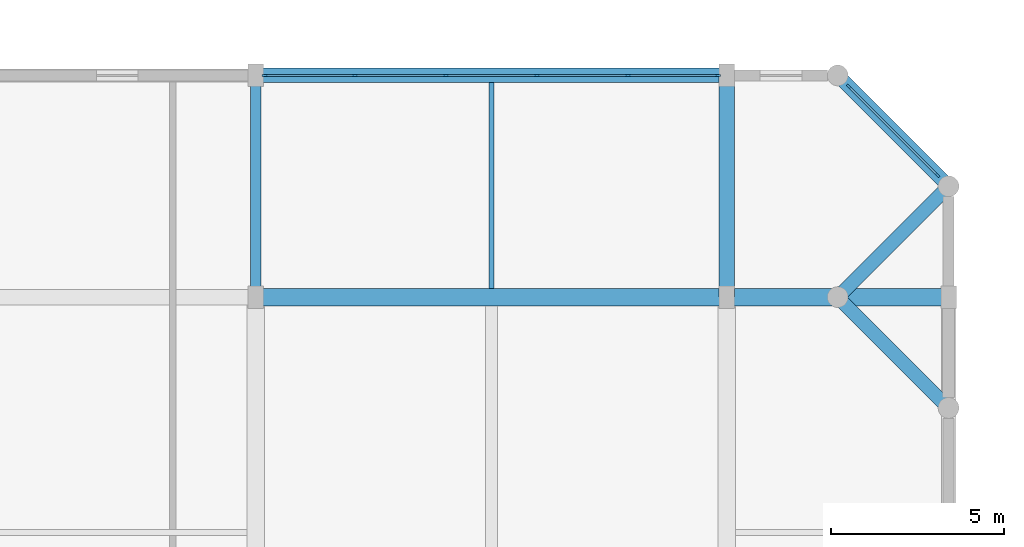
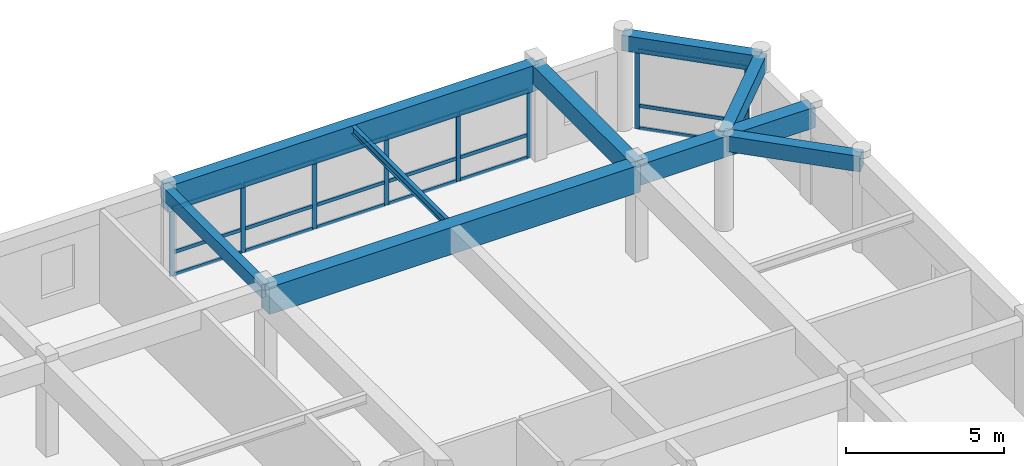
# One storey, part 8 of 13: 26 members, 9 beams, 2 elements without a shape of their own.
"""IFC4 building model written with IfcOpenShell, lengths in metres."""

import ifcopenshell
import ifcopenshell.guid

model = None  # the IFC model being written
_history = None  # IfcOwnerHistory: only IFC2X3 demands one
_inside = {}  # id of a spatial element -> (the spatial element, [elements in it])
_under = {}  # id of a project, library or spatial element -> (it, [spatial elements below it])
_declared = {}  # id of a project -> (the project, [libraries it declares])
_typed = {}  # id of a type object -> (the type object, [elements of that type])
_made_of = {}  # id of a material, layer set ... -> (it, [elements and type objects made of it])


def new_model(schema):
    """Start an empty IFC model of exactly this schema.

    Asked for "IFC4X3", IfcOpenShell would pick the latest addendum, in which some entities
    have other attributes; the version numbers below select the first issue.
    IFC2X3 requires an IfcOwnerHistory on every rooted entity: one is made here for all.
    """
    global model, _history
    if schema == "IFC4X3":
        model = ifcopenshell.file(schema_version=(4, 3, 0, 0))
    else:
        model = ifcopenshell.file(schema=schema)
    _inside.clear()
    _under.clear()
    _declared.clear()
    _typed.clear()
    _made_of.clear()
    _history = None
    if model.schema == "IFC2X3":
        org = make("IfcOrganization", Name="unknown")
        user = make(
            "IfcPersonAndOrganization",
            ThePerson=make("IfcPerson", FamilyName="unknown"),
            TheOrganization=org,
        )
        app = make(
            "IfcApplication",
            ApplicationDeveloper=org,
            Version="unknown",
            ApplicationFullName="unknown",
            ApplicationIdentifier="unknown",
        )
        _history = make(
            "IfcOwnerHistory",
            OwningUser=user,
            OwningApplication=app,
            ChangeAction="ADDED",
            CreationDate=0,
        )
    return model


def make(cls, **values):
    """One entity of the class cls with the attributes given. An attribute that is None is left unset."""
    return model.create_entity(
        cls, **{name: value for name, value in values.items() if value is not None}
    )


def rooted(cls, **values):
    """An entity with a GlobalId (a new one), such as an element, a storey or a relation."""
    return make(cls, GlobalId=ifcopenshell.guid.new(), OwnerHistory=_history, **values)


def si_unit(unit_type, name, prefix=None):
    """IfcSIUnit, for example si_unit("LENGTHUNIT", "METRE", prefix="MILLI")."""
    return make("IfcSIUnit", UnitType=unit_type, Prefix=prefix, Name=name)


def assignment(units):
    """IfcUnitAssignment: the units of a project."""
    return None if units is None else make("IfcUnitAssignment", Units=units)


def point(xyz):
    """IfcCartesianPoint."""
    return None if xyz is None else make("IfcCartesianPoint", Coordinates=xyz)


def direction(xyz):
    """IfcDirection."""
    return None if xyz is None else make("IfcDirection", DirectionRatios=xyz)


def frame(location, z_axis=None, x_axis=None):
    """IfcAxis2Placement3D, a coordinate frame: its origin and axes. An axis left out is left unset."""
    return make(
        "IfcAxis2Placement3D",
        Location=point(location),
        Axis=direction(z_axis),
        RefDirection=direction(x_axis),
    )


def frame_2d(location, x_axis=None):
    """IfcAxis2Placement2D, a coordinate frame in the plane: its origin and x axis."""
    return make(
        "IfcAxis2Placement2D", Location=point(location), RefDirection=direction(x_axis)
    )


def origin():
    """The frame at (0, 0, 0) with its axes left unset."""
    return frame((0.0, 0.0, 0.0))


def origin_2d():
    """The frame at (0, 0) in the plane with its x axis left unset."""
    return frame_2d((0.0, 0.0))


def place(relative_to, where):
    """IfcLocalPlacement: puts the frame where relative to a parent placement (None: the world)."""
    return make(
        "IfcLocalPlacement", PlacementRelTo=relative_to, RelativePlacement=where
    )


def context(
    kind, dimensions, precision=None, world=None, true_north=None, identifier=None
):
    """IfcGeometricRepresentationContext, for example the 3D "Model" context."""
    return make(
        "IfcGeometricRepresentationContext",
        ContextIdentifier=identifier,
        ContextType=kind,
        CoordinateSpaceDimension=dimensions,
        Precision=precision,
        WorldCoordinateSystem=world,
        TrueNorth=true_north,
    )


def subcontext(parent, identifier, kind, view, scale=None):
    """IfcGeometricRepresentationSubContext, for example "Body" below "Model"."""
    return make(
        "IfcGeometricRepresentationSubContext",
        ContextIdentifier=identifier,
        ContextType=kind,
        ParentContext=parent,
        TargetScale=scale,
        TargetView=view,
    )


def project(units=None, contexts=None):
    """IfcProject with its units and contexts."""
    return rooted(
        "IfcProject",
        Name="project",
        RepresentationContexts=contexts,
        UnitsInContext=assignment(units),
    )


def spatial(cls, under=None, at=None, **own):
    """A site, building, storey or space (cls), placed at a placement, below another one or the project."""
    s = rooted(cls, ObjectPlacement=at, **own)
    if under is not None:
        _under.setdefault(under.id(), (under, []))[1].append(s)
    return s


def profile(cls, at=None, kind="AREA", **sizes):
    """A parametric profile (cls). Its sizes go by their IFC names, for example OverallWidth=200.0."""
    return make(cls, ProfileType=kind, Position=at, **sizes)


def rectangle(**sizes):
    """IfcRectangleProfileDef."""
    return profile("IfcRectangleProfileDef", **sizes)


def i_section(**sizes):
    """IfcIShapeProfileDef."""
    return profile("IfcIShapeProfileDef", **sizes)


def extrude(swept, where, along, depth):
    """IfcExtrudedAreaSolid: the profile swept, set in the frame where, extruded along a direction by depth."""
    return make(
        "IfcExtrudedAreaSolid",
        SweptArea=swept,
        Position=where,
        ExtrudedDirection=direction(along),
        Depth=depth,
    )


def shape(context_of_items, identifier, shape_type, items):
    """IfcShapeRepresentation: the items that make up one representation, for example the "Body"."""
    return make(
        "IfcShapeRepresentation",
        ContextOfItems=context_of_items,
        RepresentationIdentifier=identifier,
        RepresentationType=shape_type,
        Items=items,
    )


def material(Name=None, Category=None):
    """IfcMaterial."""
    return make("IfcMaterial", Name=Name, Category=Category)


def material_profile(
    of_material, cross_section, Name=None, Category=None, Priority=None
):
    """IfcMaterialProfile: a cross section and its material."""
    return make(
        "IfcMaterialProfile",
        Name=Name,
        Material=of_material,
        Profile=cross_section,
        Priority=Priority,
        Category=Category,
    )


def profile_set(profiles, Name=None, composite=None):
    """IfcMaterialProfileSet."""
    return make(
        "IfcMaterialProfileSet",
        Name=Name,
        MaterialProfiles=profiles,
        CompositeProfile=composite,
    )


def made_of(thing, what):
    """Note that an element or type object is made of a material, layer set ...; save() writes the relation."""
    if what is not None:
        _made_of.setdefault(what.id(), (what, []))[1].append(thing)
    return thing


def type_object(cls, material=None, **own):
    """A type object (cls), such as IfcWallType, which elements share."""
    return made_of(rooted(cls, **own), material)


def element(
    cls,
    number,
    at=None,
    inside=None,
    cuts=None,
    type_object=None,
    material=None,
    context=None,
    identifier="Body",
    shape_type=None,
    held_by="IfcProductDefinitionShape",
    body=None,
    shapes=None,
    **own,
):
    """One element of the class cls, such as IfcWall. Its Tag is "e" and its number.

    at: its placement. inside: the storey or other place that contains it. cuts: it is an
    opening in that element (IfcRelVoidsElement). A single representation is given by context,
    identifier, shape_type and body (its items); several are given by shapes. held_by: the class
    of the entity that holds the representations. save() writes the other relations.
    """
    e = rooted(cls, Tag="e%d" % number, ObjectPlacement=at, **own)
    if body is not None:
        shapes = [shape(context, identifier, shape_type, body)]
    if shapes is not None:
        e.Representation = make(held_by, Representations=shapes)
    if inside is not None:
        _inside.setdefault(inside.id(), (inside, []))[1].append(e)
    if cuts is not None:
        rooted(
            "IfcRelVoidsElement", RelatingBuildingElement=cuts, RelatedOpeningElement=e
        )
    if type_object is not None:
        _typed.setdefault(type_object.id(), (type_object, []))[1].append(e)
    return made_of(e, material)


def aggregate(whole, parts):
    """IfcRelAggregates: a whole, such as a stair, and the parts it consists of."""
    return rooted("IfcRelAggregates", RelatingObject=whole, RelatedObjects=parts)


def save(model, path):
    """Write the relations noted so far, then the file.

    IfcRelAggregates (storeys below a building ...), IfcRelContainedInSpatialStructure (elements
    in a storey), IfcRelDefinesByType, IfcRelAssociatesMaterial and IfcRelDeclares: one each for
    every whole, place, type object, material and project.
    """
    for whole, parts in _under.values():
        aggregate(whole, parts)
    for where, things in _inside.values():
        rooted(
            "IfcRelContainedInSpatialStructure",
            RelatedElements=things,
            RelatingStructure=where,
        )
    for kind, things in _typed.values():
        rooted("IfcRelDefinesByType", RelatedObjects=things, RelatingType=kind)
    for what, things in _made_of.values():
        rooted("IfcRelAssociatesMaterial", RelatedObjects=things, RelatingMaterial=what)
    for by, libraries in _declared.values():
        rooted("IfcRelDeclares", RelatingContext=by, RelatedDefinitions=libraries)
    model.write(path)


model = new_model("IFC4")

# Units and contexts
model_context = context("Model", 3, precision=1e-05, world=origin(), true_north=direction((0.0, 1.0)))
body_context = subcontext(model_context, "Body", "Model", "MODEL_VIEW")
ifc_project = project(units=[si_unit("LENGTHUNIT", "METRE"), si_unit("AREAUNIT", "SQUARE_METRE"), si_unit("VOLUMEUNIT", "CUBIC_METRE"), si_unit("PLANEANGLEUNIT", "RADIAN"), si_unit("MASSUNIT", "GRAM", prefix="KILO")], contexts=[model_context])

# Site, building, storey
site_placement = place(None, origin())
site = spatial("IfcSite", under=ifc_project, at=site_placement, CompositionType="ELEMENT")
building_placement = place(site_placement, origin())
building = spatial("IfcBuilding", under=site, at=building_placement, Name="Vellmiral Cinema and Media Centre", CompositionType="ELEMENT")
storey_placement = place(building_placement, frame((0.0, 0.0, 54.800048828125)))
storey = spatial("IfcBuildingStorey", under=building, at=storey_placement, Name="L13", CompositionType="ELEMENT", Elevation=54.800048828125)

# Beams
ifc_material_1 = material(Name="Concrete C40/50", Category="concrete")
ifc_material_profile_1 = material_profile(ifc_material_1, rectangle(XDim=0.300048828125, YDim=0.5, at=origin_2d()), Name="RC 300x500")
ifc_profile_set_1 = profile_set([ifc_material_profile_1], Name="Concrete C40/50")
beam_type_1 = type_object("IfcBeamType", Name="BM-RC-300x500", PredefinedType="BEAM", material=ifc_profile_set_1)
beam_1_placement = place(storey_placement, frame((148.0, 108.800048828125, 3.405029296875), z_axis=(0.0, 1.0, 0.0), x_axis=(-1.0, 0.0, 0.0)))
element("IfcBeam", 1, at=beam_1_placement, inside=storey, type_object=beam_type_1, Name="Grid Beam L13-Y060", PredefinedType="BEAM", context=body_context, shape_type="SweptSolid", body=[
    extrude(rectangle(XDim=0.300048828125, YDim=0.5, at=origin_2d()), origin(), (0.0, 0.0, 1.0), 6.39990234375),
])
ifc_material_2 = material(Name="Concrete C40/50", Category="concrete")
ifc_material_profile_2 = material_profile(ifc_material_2, rectangle(XDim=0.449951171875, YDim=0.699951171875, at=origin_2d()), Name="RC 450x700")
ifc_profile_set_2 = profile_set([ifc_material_profile_2], Name="Concrete C40/50")
beam_type_2 = type_object("IfcBeamType", Name="BM-RC-450x700", PredefinedType="BEAM", material=ifc_profile_set_2)
beam_2_placement = place(storey_placement, frame((161.60009765625, 108.800048828125, 3.304931640625), z_axis=(0.0, 1.0, 0.0), x_axis=(-1.0, 0.0, 0.0)))
element("IfcBeam", 2, at=beam_2_placement, inside=storey, type_object=beam_type_2, Name="Grid Beam L13-Y065", PredefinedType="BEAM", context=body_context, shape_type="SweptSolid", body=[
    extrude(rectangle(XDim=0.449951171875, YDim=0.699951171875, at=origin_2d()), origin(), (0.0, 0.0, 1.0), 6.39990234375),
])
ifc_material_3 = material(Name="Concrete C40/50", Category="concrete")
ifc_material_profile_3 = material_profile(ifc_material_3, rectangle(XDim=0.5, YDim=0.800048828125, at=origin_2d()), Name="RC 500x800")
ifc_profile_set_3 = profile_set([ifc_material_profile_3], Name="Concrete C40/50")
beam_type_3 = type_object("IfcBeamType", Name="BM-RC-500x800", PredefinedType="BEAM", material=ifc_profile_set_3)
beam_3_placement = place(storey_placement, frame((161.60009765625, 108.800048828125, 3.2548828125), z_axis=(1.0, 0.0, 0.0), x_axis=(0.0, 1.0, 0.0)))
element("IfcBeam", 3, at=beam_3_placement, inside=storey, type_object=beam_type_3, Name="Grid Beam L13-X030", PredefinedType="BEAM", context=body_context, shape_type="SweptSolid", body=[
    extrude(rectangle(XDim=0.5, YDim=0.800048828125, at=origin_2d()), origin(), (0.0, 0.0, 1.0), 6.39990234375),
])
ifc_material_4 = material(Name="Concrete C40/50", Category="concrete")
ifc_material_profile_4 = material_profile(ifc_material_4, rectangle(XDim=0.5, YDim=1.050048828125, at=origin_2d()), Name="RC 500x1050")
ifc_profile_set_4 = profile_set([ifc_material_profile_4], Name="Concrete C40/50")
beam_type_4 = type_object("IfcBeamType", Name="BM-RCG-500x1050", PredefinedType="BEAM", material=ifc_profile_set_4)
beam_4_placement = place(storey_placement, frame((148.0, 108.800048828125, 3.1298828125), z_axis=(1.0, 0.0, 0.0), x_axis=(0.0, 1.0, 0.0)))
element("IfcBeam", 4, at=beam_4_placement, inside=storey, type_object=beam_type_4, Name="Grid Beam L13-X029", PredefinedType="BEAM", context=body_context, shape_type="SweptSolid", body=[
    extrude(rectangle(XDim=0.5, YDim=1.050048828125, at=origin_2d()), origin(), (0.0, 0.0, 1.0), 13.60009765625),
])

# Curtain wall, members
ifc_material_5 = material(Name="Thermally Broken Aluminium and Triple Glazing", Category="aluminium")
curtain_wall_type_1 = type_object("IfcCurtainWallType", Name="CW-TOWER-MID-E", PredefinedType="USERDEFINED", material=ifc_material_5)
curtain_wall_1_placement = place(storey_placement, origin())
curtain_wall_1 = element("IfcCurtainWall", 5, at=curtain_wall_1_placement, inside=storey, type_object=curtain_wall_type_1, Name="Curtain Wall L13-B016", ObjectType="UNITISED CURTAIN WALL", PredefinedType="USERDEFINED")
ifc_material_6 = material(Name="Thermally Broken Anodised Aluminium", Category="aluminium")
ifc_material_profile_5 = material_profile(ifc_material_6, rectangle(XDim=0.06494140625, YDim=0.159912109375, at=origin_2d()), Name="MULL 65x160")
ifc_profile_set_5 = profile_set([ifc_material_profile_5], Name="Thermally Broken Anodised Aluminium")
member_type_1 = type_object("IfcMemberType", Name="CWM-65x160", PredefinedType="MULLION", material=ifc_profile_set_5)
member_1_placement = place(storey_placement, frame((167.677001953125, 112.322998046875, 0.0), z_axis=(0.0, 0.0, 1.0), x_axis=(-0.707106781187, -0.707106781187, 0.0)))
member_1 = element("IfcMember", 6, at=member_1_placement, type_object=member_type_1, Name="CW-07 mullion 1", PredefinedType="MULLION", context=body_context, shape_type="SweptSolid", body=[
    extrude(rectangle(XDim=0.06494140625, YDim=0.159912109375, at=origin_2d()), origin(), (0.0, 0.0, 1.0), 3.06005859375),
])
member_2_placement = place(storey_placement, frame((165.123046875, 114.876953125, 0.0), z_axis=(0.0, 0.0, 1.0), x_axis=(-0.707106781187, -0.707106781187, 0.0)))
member_2 = element("IfcMember", 7, at=member_2_placement, type_object=member_type_1, Name="CW-07 mullion 2", PredefinedType="MULLION", context=body_context, shape_type="SweptSolid", body=[
    extrude(rectangle(XDim=0.06494140625, YDim=0.159912109375, at=origin_2d()), origin(), (0.0, 0.0, 1.0), 3.06005859375),
])

ifc_material_7 = material(Name="Thermally Broken Aluminium and Triple Glazing", Category="aluminium")
curtain_wall_type_2 = type_object("IfcCurtainWallType", Name="CW-TOWER-MID-W", PredefinedType="USERDEFINED", material=ifc_material_7)
curtain_wall_2_placement = place(storey_placement, origin())
curtain_wall_2 = element("IfcCurtainWall", 8, at=curtain_wall_2_placement, inside=storey, type_object=curtain_wall_type_2, Name="Curtain Wall L13-B018", ObjectType="UNITISED CURTAIN WALL", PredefinedType="USERDEFINED")
member_3_placement = place(storey_placement, frame((161.342529296875, 115.199951171875, 0.0), z_axis=(0.0, 0.0, 1.0), x_axis=(0.0, -1.0, 0.0)))
member_3 = element("IfcMember", 9, at=member_3_placement, type_object=member_type_1, Name="CW-08 mullion 1", PredefinedType="MULLION", context=body_context, shape_type="SweptSolid", body=[
    extrude(rectangle(XDim=0.06494140625, YDim=0.159912109375, at=origin_2d()), origin(), (0.0, 0.0, 1.0), 2.64501953125),
])
member_4_placement = place(storey_placement, frame((158.7451171875, 115.199951171875, 0.0), z_axis=(0.0, 0.0, 1.0), x_axis=(0.0, -1.0, 0.0)))
member_4 = element("IfcMember", 10, at=member_4_placement, type_object=member_type_1, Name="CW-08 mullion 2", PredefinedType="MULLION", context=body_context, shape_type="SweptSolid", body=[
    extrude(rectangle(XDim=0.06494140625, YDim=0.159912109375, at=origin_2d()), origin(), (0.0, 0.0, 1.0), 2.64501953125),
])
member_5_placement = place(storey_placement, frame((156.114990234375, 115.199951171875, 0.0), z_axis=(0.0, 0.0, 1.0), x_axis=(0.0, -1.0, 0.0)))
member_5 = element("IfcMember", 11, at=member_5_placement, type_object=member_type_1, Name="CW-08 mullion 3", PredefinedType="MULLION", context=body_context, shape_type="SweptSolid", body=[
    extrude(rectangle(XDim=0.06494140625, YDim=0.159912109375, at=origin_2d()), origin(), (0.0, 0.0, 1.0), 2.64501953125),
])
member_6_placement = place(storey_placement, frame((153.485107421875, 115.199951171875, 0.0), z_axis=(0.0, 0.0, 1.0), x_axis=(0.0, -1.0, 0.0)))
member_6 = element("IfcMember", 12, at=member_6_placement, type_object=member_type_1, Name="CW-08 mullion 4", PredefinedType="MULLION", context=body_context, shape_type="SweptSolid", body=[
    extrude(rectangle(XDim=0.06494140625, YDim=0.159912109375, at=origin_2d()), origin(), (0.0, 0.0, 1.0), 2.64501953125),
])
member_7_placement = place(storey_placement, frame((150.85498046875, 115.199951171875, 0.0), z_axis=(0.0, 0.0, 1.0), x_axis=(0.0, -1.0, 0.0)))
member_7 = element("IfcMember", 13, at=member_7_placement, type_object=member_type_1, Name="CW-08 mullion 5", PredefinedType="MULLION", context=body_context, shape_type="SweptSolid", body=[
    extrude(rectangle(XDim=0.06494140625, YDim=0.159912109375, at=origin_2d()), origin(), (0.0, 0.0, 1.0), 2.64501953125),
])
member_8_placement = place(storey_placement, frame((148.257568359375, 115.199951171875, 0.0), z_axis=(0.0, 0.0, 1.0), x_axis=(0.0, -1.0, 0.0)))
member_8 = element("IfcMember", 14, at=member_8_placement, type_object=member_type_1, Name="CW-08 mullion 6", PredefinedType="MULLION", context=body_context, shape_type="SweptSolid", body=[
    extrude(rectangle(XDim=0.06494140625, YDim=0.159912109375, at=origin_2d()), origin(), (0.0, 0.0, 1.0), 2.64501953125),
])

# Member
ifc_material_8 = material(Name="Thermally Broken Anodised Aluminium", Category="aluminium")
ifc_material_profile_6 = material_profile(ifc_material_8, rectangle(XDim=0.06494140625, YDim=0.135009765625, at=origin_2d()), Name="MULL 65x135")
ifc_profile_set_6 = profile_set([ifc_material_profile_6], Name="Thermally Broken Anodised Aluminium")
member_type_2 = type_object("IfcMemberType", Name="CWT-65x135", PredefinedType="USERDEFINED", material=ifc_profile_set_6)
member_9_placement = place(storey_placement, frame((167.654052734375, 112.345947265625, 0.032470703125), z_axis=(-0.707106781187, 0.707106781187, 0.0), x_axis=(-0.707106781187, -0.707106781187, 0.0)))
member_9 = element("IfcMember", 15, at=member_9_placement, type_object=member_type_2, Name="CW-07 transom 1.1", ObjectType="TRANSOM", PredefinedType="USERDEFINED", context=body_context, shape_type="SweptSolid", body=[
    extrude(rectangle(XDim=0.06494140625, YDim=0.135009765625, at=origin_2d()), origin(), (0.0, 0.0, 1.0), 3.546875),
])

member_10_placement = place(storey_placement, frame((167.654052734375, 112.345947265625, 0.89990234375), z_axis=(-0.707106781187, 0.707106781187, 0.0), x_axis=(-0.707106781187, -0.707106781187, 0.0)))
member_10 = element("IfcMember", 16, at=member_10_placement, type_object=member_type_2, Name="CW-07 transom 1.2", ObjectType="TRANSOM", PredefinedType="USERDEFINED", context=body_context, shape_type="SweptSolid", body=[
    extrude(rectangle(XDim=0.06494140625, YDim=0.135009765625, at=origin_2d()), origin(), (0.0, 0.0, 1.0), 3.546875),
])

member_11_placement = place(storey_placement, frame((167.654052734375, 112.345947265625, 3.02734375), z_axis=(-0.707106781187, 0.707106781187, 0.0), x_axis=(-0.707106781187, -0.707106781187, 0.0)))
member_11 = element("IfcMember", 17, at=member_11_placement, type_object=member_type_2, Name="CW-07 transom 1.3", ObjectType="TRANSOM", PredefinedType="USERDEFINED", context=body_context, shape_type="SweptSolid", body=[
    extrude(rectangle(XDim=0.06494140625, YDim=0.135009765625, at=origin_2d()), origin(), (0.0, 0.0, 1.0), 3.546875),
])

aggregate(curtain_wall_1, [member_1, member_2, member_9, member_10, member_11])

member_12_placement = place(storey_placement, frame((161.31005859375, 115.199951171875, 0.032470703125), z_axis=(-1.0, 0.0, 0.0), x_axis=(0.0, -1.0, 0.0)))
member_12 = element("IfcMember", 18, at=member_12_placement, type_object=member_type_2, Name="CW-08 transom 1.1", ObjectType="TRANSOM", PredefinedType="USERDEFINED", context=body_context, shape_type="SweptSolid", body=[
    extrude(rectangle(XDim=0.06494140625, YDim=0.135009765625, at=origin_2d()), origin(), (0.0, 0.0, 1.0), 2.532470703125),
])

member_13_placement = place(storey_placement, frame((161.31005859375, 115.199951171875, 0.89990234375), z_axis=(-1.0, 0.0, 0.0), x_axis=(0.0, -1.0, 0.0)))
member_13 = element("IfcMember", 19, at=member_13_placement, type_object=member_type_2, Name="CW-08 transom 1.2", ObjectType="TRANSOM", PredefinedType="USERDEFINED", context=body_context, shape_type="SweptSolid", body=[
    extrude(rectangle(XDim=0.06494140625, YDim=0.135009765625, at=origin_2d()), origin(), (0.0, 0.0, 1.0), 2.532470703125),
])

member_14_placement = place(storey_placement, frame((161.31005859375, 115.199951171875, 2.612548828125), z_axis=(-1.0, 0.0, 0.0), x_axis=(0.0, -1.0, 0.0)))
member_14 = element("IfcMember", 20, at=member_14_placement, type_object=member_type_2, Name="CW-08 transom 1.3", ObjectType="TRANSOM", PredefinedType="USERDEFINED", context=body_context, shape_type="SweptSolid", body=[
    extrude(rectangle(XDim=0.06494140625, YDim=0.135009765625, at=origin_2d()), origin(), (0.0, 0.0, 1.0), 2.532470703125),
])

member_15_placement = place(storey_placement, frame((158.71240234375, 115.199951171875, 0.032470703125), z_axis=(-1.0, 0.0, 0.0), x_axis=(0.0, -1.0, 0.0)))
member_15 = element("IfcMember", 21, at=member_15_placement, type_object=member_type_2, Name="CW-08 transom 2.1", ObjectType="TRANSOM", PredefinedType="USERDEFINED", context=body_context, shape_type="SweptSolid", body=[
    extrude(rectangle(XDim=0.06494140625, YDim=0.135009765625, at=origin_2d()), origin(), (0.0, 0.0, 1.0), 2.56494140625),
])

member_16_placement = place(storey_placement, frame((158.71240234375, 115.199951171875, 0.89990234375), z_axis=(-1.0, 0.0, 0.0), x_axis=(0.0, -1.0, 0.0)))
member_16 = element("IfcMember", 22, at=member_16_placement, type_object=member_type_2, Name="CW-08 transom 2.2", ObjectType="TRANSOM", PredefinedType="USERDEFINED", context=body_context, shape_type="SweptSolid", body=[
    extrude(rectangle(XDim=0.06494140625, YDim=0.135009765625, at=origin_2d()), origin(), (0.0, 0.0, 1.0), 2.56494140625),
])

member_17_placement = place(storey_placement, frame((158.71240234375, 115.199951171875, 2.612548828125), z_axis=(-1.0, 0.0, 0.0), x_axis=(0.0, -1.0, 0.0)))
member_17 = element("IfcMember", 23, at=member_17_placement, type_object=member_type_2, Name="CW-08 transom 2.3", ObjectType="TRANSOM", PredefinedType="USERDEFINED", context=body_context, shape_type="SweptSolid", body=[
    extrude(rectangle(XDim=0.06494140625, YDim=0.135009765625, at=origin_2d()), origin(), (0.0, 0.0, 1.0), 2.56494140625),
])

member_18_placement = place(storey_placement, frame((156.08251953125, 115.199951171875, 0.032470703125), z_axis=(-1.0, 0.0, 0.0), x_axis=(0.0, -1.0, 0.0)))
member_18 = element("IfcMember", 24, at=member_18_placement, type_object=member_type_2, Name="CW-08 transom 3.1", ObjectType="TRANSOM", PredefinedType="USERDEFINED", context=body_context, shape_type="SweptSolid", body=[
    extrude(rectangle(XDim=0.06494140625, YDim=0.135009765625, at=origin_2d()), origin(), (0.0, 0.0, 1.0), 2.56494140625),
])

member_19_placement = place(storey_placement, frame((156.08251953125, 115.199951171875, 0.89990234375), z_axis=(-1.0, 0.0, 0.0), x_axis=(0.0, -1.0, 0.0)))
member_19 = element("IfcMember", 25, at=member_19_placement, type_object=member_type_2, Name="CW-08 transom 3.2", ObjectType="TRANSOM", PredefinedType="USERDEFINED", context=body_context, shape_type="SweptSolid", body=[
    extrude(rectangle(XDim=0.06494140625, YDim=0.135009765625, at=origin_2d()), origin(), (0.0, 0.0, 1.0), 2.56494140625),
])

member_20_placement = place(storey_placement, frame((156.08251953125, 115.199951171875, 2.612548828125), z_axis=(-1.0, 0.0, 0.0), x_axis=(0.0, -1.0, 0.0)))
member_20 = element("IfcMember", 26, at=member_20_placement, type_object=member_type_2, Name="CW-08 transom 3.3", ObjectType="TRANSOM", PredefinedType="USERDEFINED", context=body_context, shape_type="SweptSolid", body=[
    extrude(rectangle(XDim=0.06494140625, YDim=0.135009765625, at=origin_2d()), origin(), (0.0, 0.0, 1.0), 2.56494140625),
])

member_21_placement = place(storey_placement, frame((153.452392578125, 115.199951171875, 0.032470703125), z_axis=(-1.0, 0.0, 0.0), x_axis=(0.0, -1.0, 0.0)))
member_21 = element("IfcMember", 27, at=member_21_placement, type_object=member_type_2, Name="CW-08 transom 4.1", ObjectType="TRANSOM", PredefinedType="USERDEFINED", context=body_context, shape_type="SweptSolid", body=[
    extrude(rectangle(XDim=0.06494140625, YDim=0.135009765625, at=origin_2d()), origin(), (0.0, 0.0, 1.0), 2.56494140625),
])

member_22_placement = place(storey_placement, frame((153.452392578125, 115.199951171875, 0.89990234375), z_axis=(-1.0, 0.0, 0.0), x_axis=(0.0, -1.0, 0.0)))
member_22 = element("IfcMember", 28, at=member_22_placement, type_object=member_type_2, Name="CW-08 transom 4.2", ObjectType="TRANSOM", PredefinedType="USERDEFINED", context=body_context, shape_type="SweptSolid", body=[
    extrude(rectangle(XDim=0.06494140625, YDim=0.135009765625, at=origin_2d()), origin(), (0.0, 0.0, 1.0), 2.56494140625),
])

member_23_placement = place(storey_placement, frame((153.452392578125, 115.199951171875, 2.612548828125), z_axis=(-1.0, 0.0, 0.0), x_axis=(0.0, -1.0, 0.0)))
member_23 = element("IfcMember", 29, at=member_23_placement, type_object=member_type_2, Name="CW-08 transom 4.3", ObjectType="TRANSOM", PredefinedType="USERDEFINED", context=body_context, shape_type="SweptSolid", body=[
    extrude(rectangle(XDim=0.06494140625, YDim=0.135009765625, at=origin_2d()), origin(), (0.0, 0.0, 1.0), 2.56494140625),
])

member_24_placement = place(storey_placement, frame((150.822509765625, 115.199951171875, 0.032470703125), z_axis=(-1.0, 0.0, 0.0), x_axis=(0.0, -1.0, 0.0)))
member_24 = element("IfcMember", 30, at=member_24_placement, type_object=member_type_2, Name="CW-08 transom 5.1", ObjectType="TRANSOM", PredefinedType="USERDEFINED", context=body_context, shape_type="SweptSolid", body=[
    extrude(rectangle(XDim=0.06494140625, YDim=0.135009765625, at=origin_2d()), origin(), (0.0, 0.0, 1.0), 2.532470703125),
])

member_25_placement = place(storey_placement, frame((150.822509765625, 115.199951171875, 0.89990234375), z_axis=(-1.0, 0.0, 0.0), x_axis=(0.0, -1.0, 0.0)))
member_25 = element("IfcMember", 31, at=member_25_placement, type_object=member_type_2, Name="CW-08 transom 5.2", ObjectType="TRANSOM", PredefinedType="USERDEFINED", context=body_context, shape_type="SweptSolid", body=[
    extrude(rectangle(XDim=0.06494140625, YDim=0.135009765625, at=origin_2d()), origin(), (0.0, 0.0, 1.0), 2.532470703125),
])

member_26_placement = place(storey_placement, frame((150.822509765625, 115.199951171875, 2.612548828125), z_axis=(-1.0, 0.0, 0.0), x_axis=(0.0, -1.0, 0.0)))
member_26 = element("IfcMember", 32, at=member_26_placement, type_object=member_type_2, Name="CW-08 transom 5.3", ObjectType="TRANSOM", PredefinedType="USERDEFINED", context=body_context, shape_type="SweptSolid", body=[
    extrude(rectangle(XDim=0.06494140625, YDim=0.135009765625, at=origin_2d()), origin(), (0.0, 0.0, 1.0), 2.532470703125),
])

aggregate(curtain_wall_2, [member_3, member_4, member_5, member_6, member_7, member_8, member_12, member_13, member_14, member_15, member_16, member_17, member_18, member_19, member_20, member_21, member_22, member_23, member_24, member_25, member_26])

# Beams
ifc_material_9 = material(Name="Steel S355", Category="steel")
ifc_material_profile_7 = material_profile(ifc_material_9, i_section(OverallWidth=0.14990234375, OverallDepth=0.300048828125, WebThickness=0.007080078125, FlangeThickness=0.0107421875, FilletRadius=0.014892578125, at=origin_2d()), Name="IPE 300")
ifc_profile_set_7 = profile_set([ifc_material_profile_7], Name="Steel S355")
beam_type_5 = type_object("IfcBeamType", Name="SBM-IPE300", PredefinedType="JOIST", material=ifc_profile_set_7)
beam_5_placement = place(storey_placement, frame((154.800048828125, 109.050048828125, 3.5048828125), z_axis=(0.0, 1.0, 0.0), x_axis=(-1.0, 0.0, 0.0)))
element("IfcBeam", 33, at=beam_5_placement, inside=storey, type_object=beam_type_5, Name="Secondary Floor Joist L13-009", PredefinedType="JOIST", context=body_context, shape_type="SweptSolid", body=[
    extrude(i_section(OverallWidth=0.14990234375, OverallDepth=0.300048828125, WebThickness=0.007080078125, FlangeThickness=0.0107421875, FilletRadius=0.014892578125, at=origin_2d()), origin(), (0.0, 0.0, 1.0), 5.93994140625),
])
ifc_material_10 = material(Name="Concrete C40/50", Category="concrete")
ifc_material_profile_8 = material_profile(ifc_material_10, rectangle(XDim=0.39990234375, YDim=0.60009765625, at=origin_2d()), Name="RC 400x600")
ifc_profile_set_8 = profile_set([ifc_material_profile_8], Name="Concrete C40/50")
beam_type_6 = type_object("IfcBeamType", Name="SPD-RC-400x600", PredefinedType="SPANDREL", material=ifc_profile_set_8)
for number, where, z_axis, x_axis, name in (
    (34, (164.800048828125, 108.800048828125, 3.35498046875), (0.707106781187, -0.707106781187, 0.0), (0.707106781187, 0.707106781187, 0.0), "Xamfra Chamfer Spandrel Beam L13-073"),
    (35, (164.800048828125, 108.800048828125, 3.35498046875), (0.707106781187, 0.707106781187, 0.0), (-0.707106781187, 0.707106781187, 0.0), "Xamfra Chamfer Spandrel Beam L13-074"),
    (36, (164.800048828125, 115.199951171875, 3.35498046875), (0.707106781187, -0.707106781187, 0.0), (0.707106781187, 0.707106781187, 0.0), "Xamfra Chamfer Spandrel Beam L13-075"),
):
    element("IfcBeam", number, at=place(storey_placement, frame(where, z_axis=z_axis, x_axis=x_axis)), inside=storey, type_object=beam_type_6, Name=name, PredefinedType="SPANDREL", context=body_context, shape_type="SweptSolid", body=[
        extrude(rectangle(XDim=0.39990234375, YDim=0.60009765625, at=origin_2d()), origin(), (0.0, 0.0, 1.0), 4.525390625),
    ])
ifc_material_11 = material(Name="Vosges Red Sandstone Masonry", Category="masonry")
ifc_material_profile_9 = material_profile(ifc_material_11, rectangle(XDim=0.419921875, YDim=1.0, at=origin_2d()), Name="SAND 420x1000")
ifc_profile_set_9 = profile_set([ifc_material_profile_9], Name="Vosges Red Sandstone Masonry")
beam_type_7 = type_object("IfcBeamType", Name="SPD-SANDG-420x1000", PredefinedType="SPANDREL", material=ifc_profile_set_9)
beam_6_placement = place(storey_placement, frame((148.0, 115.199951171875, 3.155029296875), z_axis=(1.0, 0.0, 0.0), x_axis=(0.0, 1.0, 0.0)))
element("IfcBeam", 37, at=beam_6_placement, inside=storey, type_object=beam_type_7, Name="Grid Beam L13-X035", PredefinedType="SPANDREL", context=body_context, shape_type="SweptSolid", body=[
    extrude(rectangle(XDim=0.419921875, YDim=1.0, at=origin_2d()), origin(), (0.0, 0.0, 1.0), 13.60009765625),
])

save(model, "model.ifc")
